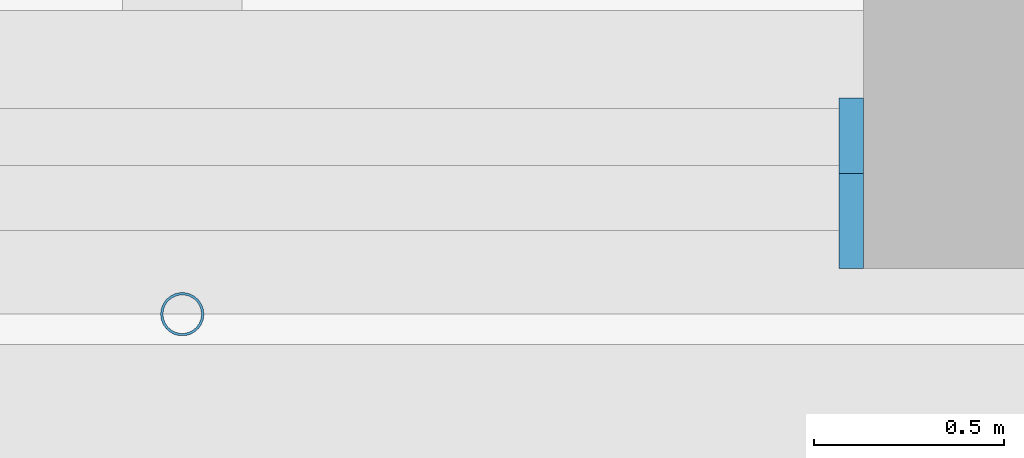
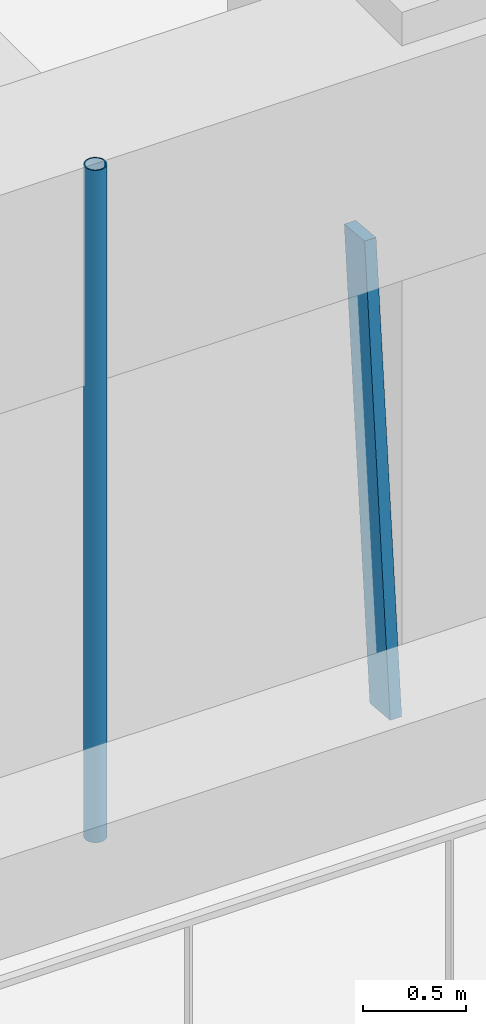
# One storey, part 4 of 23: 2 members, 1 element without a shape of its own.
"""IFC4 building model written with IfcOpenShell, lengths in metres."""

from ifc_helpers import new_model, si_unit, direction, frame, origin, origin_2d, place, context, subcontext, project, spatial, rectangle, hollow_circle, extrude, material, material_profile, profile_set, type_object, element, aggregate, save


model = new_model("IFC4")

# Units and contexts
model_context = context("Model", 3, precision=1e-05, world=origin(), true_north=direction((0.0, 1.0)))
body_context = subcontext(model_context, "Body", "Model", "MODEL_VIEW")
ifc_project = project(units=[si_unit("LENGTHUNIT", "METRE"), si_unit("AREAUNIT", "SQUARE_METRE"), si_unit("VOLUMEUNIT", "CUBIC_METRE"), si_unit("PLANEANGLEUNIT", "RADIAN"), si_unit("MASSUNIT", "GRAM", prefix="KILO")], contexts=[model_context])

# Site, building, storey
site_placement = place(None, origin())
site = spatial("IfcSite", under=ifc_project, at=site_placement, CompositionType="ELEMENT")
building_placement = place(site_placement, origin())
building = spatial("IfcBuilding", under=site, at=building_placement, Name="Tarfa Lantern Tower", CompositionType="ELEMENT")
storey_placement = place(building_placement, frame((0.0, 0.0, 86.5)))
storey = spatial("IfcBuildingStorey", under=building, at=storey_placement, Name="L19", CompositionType="ELEMENT", Elevation=86.5)

# Curtain wall, member
ifc_material_1 = material(Name="Aluminium framed curtain wall", Category="aluminium")
curtain_wall_type = type_object("IfcCurtainWallType", Name="CW1 CANTED GLAZING LOW ZONE 2700", PredefinedType="USERDEFINED", material=ifc_material_1)
curtain_wall_placement = place(storey_placement, origin())
curtain_wall = element("IfcCurtainWall", 1, at=curtain_wall_placement, inside=storey, type_object=curtain_wall_type, Name="CW1 S L19", ObjectType="CURTAIN WALL", PredefinedType="USERDEFINED")
ifc_material_2 = material(Name="Aluminium mullion", Category="aluminium")
ifc_material_profile_1 = material_profile(ifc_material_2, rectangle(XDim=0.06494140625, YDim=0.199951171875, at=origin_2d()), Name="AL MULLION 65x200")
ifc_profile_set_1 = profile_set([ifc_material_profile_1], Name="Aluminium mullion")
member_type_1 = type_object("IfcMemberType", Name="CWM1 MULLION 65x200", PredefinedType="MULLION", material=ifc_profile_set_1)
member_1_placement = place(storey_placement, frame((9.8447265625, -33.89990234375, 0.0), z_axis=(0.0, 0.092199863775, 0.995740520979), x_axis=(-1.0, 0.0, 0.0)))
member_1 = element("IfcMember", 2, at=member_1_placement, type_object=member_type_1, Name="CW1 mullion 2", PredefinedType="MULLION", context=body_context, shape_type="SweptSolid", body=[
    extrude(rectangle(XDim=0.06494140625, YDim=0.199951171875, at=origin_2d()), origin(), (0.0, 0.0, 1.0), 2.71142578125),
])
aggregate(curtain_wall, [member_1])

# Member
ifc_material_3 = material(Name="Steel S355", Category="steel")
ifc_material_profile_2 = material_profile(ifc_material_3, hollow_circle(Radius=0.05712890625, WallThickness=0.00634765625, at=origin_2d()), Name="CHS114.3x6.3")
ifc_profile_set_2 = profile_set([ifc_material_profile_2], Name="Steel S355")
member_type_2 = type_object("IfcMemberType", Name="TR1 GREEN WALL TRELLIS CHS114.3x6.3", PredefinedType="USERDEFINED", material=ifc_profile_set_2)
member_2_placement = place(storey_placement, frame((8.0830078125, -34.1201171875, 0.0), z_axis=(0.0, 0.0, 1.0), x_axis=(1.0, 0.0, 0.0)))
element("IfcMember", 3, at=member_2_placement, inside=storey, type_object=member_type_2, Name="Trellis post S 2", ObjectType="TRELLIS", PredefinedType="USERDEFINED", context=body_context, shape_type="SweptSolid", body=[
    extrude(hollow_circle(Radius=0.05712890625, WallThickness=0.00634765625, at=origin_2d()), origin(), (0.0, 0.0, 1.0), 4.0),
])

save(model, "model.ifc")
